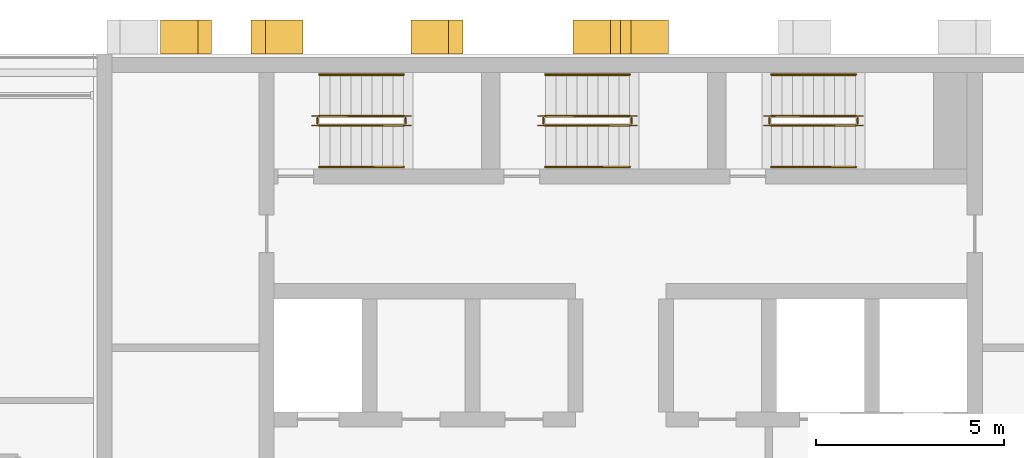
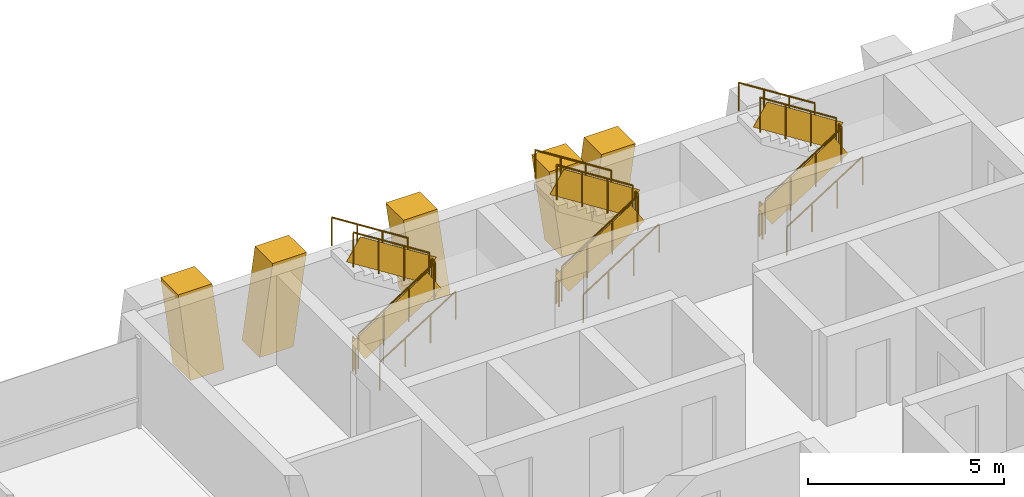
# One storey, part 15 of 16: 18 railings, 4 shading devices.
"""IFC4 building model written with IfcOpenShell, lengths in metres."""

import ifcopenshell
import ifcopenshell.guid

model = None  # the IFC model being written
_history = None  # IfcOwnerHistory: only IFC2X3 demands one
_inside = {}  # id of a spatial element -> (the spatial element, [elements in it])
_under = {}  # id of a project, library or spatial element -> (it, [spatial elements below it])
_declared = {}  # id of a project -> (the project, [libraries it declares])
_typed = {}  # id of a type object -> (the type object, [elements of that type])
_made_of = {}  # id of a material, layer set ... -> (it, [elements and type objects made of it])


def new_model(schema):
    """Start an empty IFC model of exactly this schema.

    Asked for "IFC4X3", IfcOpenShell would pick the latest addendum, in which some entities
    have other attributes; the version numbers below select the first issue.
    IFC2X3 requires an IfcOwnerHistory on every rooted entity: one is made here for all.
    """
    global model, _history
    if schema == "IFC4X3":
        model = ifcopenshell.file(schema_version=(4, 3, 0, 0))
    else:
        model = ifcopenshell.file(schema=schema)
    _inside.clear()
    _under.clear()
    _declared.clear()
    _typed.clear()
    _made_of.clear()
    _history = None
    if model.schema == "IFC2X3":
        org = make("IfcOrganization", Name="unknown")
        user = make(
            "IfcPersonAndOrganization",
            ThePerson=make("IfcPerson", FamilyName="unknown"),
            TheOrganization=org,
        )
        app = make(
            "IfcApplication",
            ApplicationDeveloper=org,
            Version="unknown",
            ApplicationFullName="unknown",
            ApplicationIdentifier="unknown",
        )
        _history = make(
            "IfcOwnerHistory",
            OwningUser=user,
            OwningApplication=app,
            ChangeAction="ADDED",
            CreationDate=0,
        )
    return model


def make(cls, **values):
    """One entity of the class cls with the attributes given. An attribute that is None is left unset."""
    return model.create_entity(
        cls, **{name: value for name, value in values.items() if value is not None}
    )


def rooted(cls, **values):
    """An entity with a GlobalId (a new one), such as an element, a storey or a relation."""
    return make(cls, GlobalId=ifcopenshell.guid.new(), OwnerHistory=_history, **values)


def si_unit(unit_type, name, prefix=None):
    """IfcSIUnit, for example si_unit("LENGTHUNIT", "METRE", prefix="MILLI")."""
    return make("IfcSIUnit", UnitType=unit_type, Prefix=prefix, Name=name)


def assignment(units):
    """IfcUnitAssignment: the units of a project."""
    return None if units is None else make("IfcUnitAssignment", Units=units)


def point(xyz):
    """IfcCartesianPoint."""
    return None if xyz is None else make("IfcCartesianPoint", Coordinates=xyz)


def direction(xyz):
    """IfcDirection."""
    return None if xyz is None else make("IfcDirection", DirectionRatios=xyz)


def frame(location, z_axis=None, x_axis=None):
    """IfcAxis2Placement3D, a coordinate frame: its origin and axes. An axis left out is left unset."""
    return make(
        "IfcAxis2Placement3D",
        Location=point(location),
        Axis=direction(z_axis),
        RefDirection=direction(x_axis),
    )


def frame_2d(location, x_axis=None):
    """IfcAxis2Placement2D, a coordinate frame in the plane: its origin and x axis."""
    return make(
        "IfcAxis2Placement2D", Location=point(location), RefDirection=direction(x_axis)
    )


def origin():
    """The frame at (0, 0, 0) with its axes left unset."""
    return frame((0.0, 0.0, 0.0))


def origin_2d():
    """The frame at (0, 0) in the plane with its x axis left unset."""
    return frame_2d((0.0, 0.0))


def place(relative_to, where):
    """IfcLocalPlacement: puts the frame where relative to a parent placement (None: the world)."""
    return make(
        "IfcLocalPlacement", PlacementRelTo=relative_to, RelativePlacement=where
    )


def context(
    kind, dimensions, precision=None, world=None, true_north=None, identifier=None
):
    """IfcGeometricRepresentationContext, for example the 3D "Model" context."""
    return make(
        "IfcGeometricRepresentationContext",
        ContextIdentifier=identifier,
        ContextType=kind,
        CoordinateSpaceDimension=dimensions,
        Precision=precision,
        WorldCoordinateSystem=world,
        TrueNorth=true_north,
    )


def subcontext(parent, identifier, kind, view, scale=None):
    """IfcGeometricRepresentationSubContext, for example "Body" below "Model"."""
    return make(
        "IfcGeometricRepresentationSubContext",
        ContextIdentifier=identifier,
        ContextType=kind,
        ParentContext=parent,
        TargetScale=scale,
        TargetView=view,
    )


def project(units=None, contexts=None):
    """IfcProject with its units and contexts."""
    return rooted(
        "IfcProject",
        Name="project",
        RepresentationContexts=contexts,
        UnitsInContext=assignment(units),
    )


def spatial(cls, under=None, at=None, **own):
    """A site, building, storey or space (cls), placed at a placement, below another one or the project."""
    s = rooted(cls, ObjectPlacement=at, **own)
    if under is not None:
        _under.setdefault(under.id(), (under, []))[1].append(s)
    return s


def polyline(points):
    """IfcPolyline through the points."""
    return make("IfcPolyline", Points=[point(p) for p in points])


def profile(cls, at=None, kind="AREA", **sizes):
    """A parametric profile (cls). Its sizes go by their IFC names, for example OverallWidth=200.0."""
    return make(cls, ProfileType=kind, Position=at, **sizes)


def rectangle(**sizes):
    """IfcRectangleProfileDef."""
    return profile("IfcRectangleProfileDef", **sizes)


def circle(**sizes):
    """IfcCircleProfileDef."""
    return profile("IfcCircleProfileDef", **sizes)


def outline(outer, holes=None, kind="AREA"):
    """IfcArbitraryClosedProfileDef: a profile drawn as a closed curve; with holes, ...WithVoids."""
    if holes is None:
        return make("IfcArbitraryClosedProfileDef", ProfileType=kind, OuterCurve=outer)
    return make(
        "IfcArbitraryProfileDefWithVoids",
        ProfileType=kind,
        OuterCurve=outer,
        InnerCurves=holes,
    )


def extrude(swept, where, along, depth):
    """IfcExtrudedAreaSolid: the profile swept, set in the frame where, extruded along a direction by depth."""
    return make(
        "IfcExtrudedAreaSolid",
        SweptArea=swept,
        Position=where,
        ExtrudedDirection=direction(along),
        Depth=depth,
    )


def shape(context_of_items, identifier, shape_type, items):
    """IfcShapeRepresentation: the items that make up one representation, for example the "Body"."""
    return make(
        "IfcShapeRepresentation",
        ContextOfItems=context_of_items,
        RepresentationIdentifier=identifier,
        RepresentationType=shape_type,
        Items=items,
    )


def material(Name=None, Category=None):
    """IfcMaterial."""
    return make("IfcMaterial", Name=Name, Category=Category)


def layer(
    of_material, thickness, ventilated=None, Name=None, Category=None, Priority=None
):
    """IfcMaterialLayer: one layer of a wall or slab, of a material (None: an air gap)."""
    return make(
        "IfcMaterialLayer",
        Material=of_material,
        LayerThickness=thickness,
        IsVentilated=ventilated,
        Name=Name,
        Category=Category,
        Priority=Priority,
    )


def layer_set(layers, Name=None):
    """IfcMaterialLayerSet."""
    return make("IfcMaterialLayerSet", MaterialLayers=layers, LayerSetName=Name)


def made_of(thing, what):
    """Note that an element or type object is made of a material, layer set ...; save() writes the relation."""
    if what is not None:
        _made_of.setdefault(what.id(), (what, []))[1].append(thing)
    return thing


def type_object(cls, material=None, **own):
    """A type object (cls), such as IfcWallType, which elements share."""
    return made_of(rooted(cls, **own), material)


def element(
    cls,
    number,
    at=None,
    inside=None,
    cuts=None,
    type_object=None,
    material=None,
    context=None,
    identifier="Body",
    shape_type=None,
    held_by="IfcProductDefinitionShape",
    body=None,
    shapes=None,
    **own,
):
    """One element of the class cls, such as IfcWall. Its Tag is "e" and its number.

    at: its placement. inside: the storey or other place that contains it. cuts: it is an
    opening in that element (IfcRelVoidsElement). A single representation is given by context,
    identifier, shape_type and body (its items); several are given by shapes. held_by: the class
    of the entity that holds the representations. save() writes the other relations.
    """
    e = rooted(cls, Tag="e%d" % number, ObjectPlacement=at, **own)
    if body is not None:
        shapes = [shape(context, identifier, shape_type, body)]
    if shapes is not None:
        e.Representation = make(held_by, Representations=shapes)
    if inside is not None:
        _inside.setdefault(inside.id(), (inside, []))[1].append(e)
    if cuts is not None:
        rooted(
            "IfcRelVoidsElement", RelatingBuildingElement=cuts, RelatedOpeningElement=e
        )
    if type_object is not None:
        _typed.setdefault(type_object.id(), (type_object, []))[1].append(e)
    return made_of(e, material)


def aggregate(whole, parts):
    """IfcRelAggregates: a whole, such as a stair, and the parts it consists of."""
    return rooted("IfcRelAggregates", RelatingObject=whole, RelatedObjects=parts)


def save(model, path):
    """Write the relations noted so far, then the file.

    IfcRelAggregates (storeys below a building ...), IfcRelContainedInSpatialStructure (elements
    in a storey), IfcRelDefinesByType, IfcRelAssociatesMaterial and IfcRelDeclares: one each for
    every whole, place, type object, material and project.
    """
    for whole, parts in _under.values():
        aggregate(whole, parts)
    for where, things in _inside.values():
        rooted(
            "IfcRelContainedInSpatialStructure",
            RelatedElements=things,
            RelatingStructure=where,
        )
    for kind, things in _typed.values():
        rooted("IfcRelDefinesByType", RelatedObjects=things, RelatingType=kind)
    for what, things in _made_of.values():
        rooted("IfcRelAssociatesMaterial", RelatedObjects=things, RelatingMaterial=what)
    for by, libraries in _declared.values():
        rooted("IfcRelDeclares", RelatingContext=by, RelatedDefinitions=libraries)
    model.write(path)


model = new_model("IFC4")

# Units and contexts
model_context = context("Model", 3, precision=1e-05, world=origin(), true_north=direction((0.0, 1.0)))
body_context = subcontext(model_context, "Body", "Model", "MODEL_VIEW")
ifc_project = project(units=[si_unit("LENGTHUNIT", "METRE"), si_unit("AREAUNIT", "SQUARE_METRE"), si_unit("VOLUMEUNIT", "CUBIC_METRE"), si_unit("PLANEANGLEUNIT", "RADIAN"), si_unit("MASSUNIT", "GRAM", prefix="KILO")], contexts=[model_context])

# Site, building, storey
site_placement = place(None, origin())
site = spatial("IfcSite", under=ifc_project, at=site_placement, CompositionType="ELEMENT")
building_placement = place(site_placement, origin())
building = spatial("IfcBuilding", under=site, at=building_placement, Name="Vidyagriha Tower", CompositionType="ELEMENT")
storey_placement = place(building_placement, frame((0.0, 0.0, 190.89990234375)))
storey = spatial("IfcBuildingStorey", under=building, at=storey_placement, Name="L50", CompositionType="ELEMENT", Elevation=190.89990234375)

# Shading devices
ifc_material_1 = material(Name="Precast concrete C40/50 with brick facing", Category="concrete")
ifc_layer_1 = layer(ifc_material_1, 1.0)
ifc_layer_set_1 = layer_set([ifc_layer_1], Name="Precast concrete C40/50 with brick facing")
shading_device_type_1 = type_object("IfcShadingDeviceType", Name="Brick-faced rear rib arm leaning 8 degrees", PredefinedType="USERDEFINED", material=ifc_layer_set_1)
shading_device_1_placement = place(storey_placement, frame((-8.4287109375, 20.449951171875, 0.0), z_axis=(0.0, 0.0, 1.0), x_axis=(-1.0, 0.0, 0.0)))
element("IfcShadingDevice", 1, at=shading_device_1_placement, inside=storey, type_object=shading_device_type_1, Name="Rear rib arm L50 R08.4a", ObjectType="BLADE FIN", PredefinedType="USERDEFINED", context=body_context, shape_type="SweptSolid", body=[
    extrude(outline(polyline([(0.3857421875, 0.0), (1.3857421875, 0.0), (1.0, 2.800048828125), (0.0, 2.800048828125), (0.3857421875, 0.0)])), frame((0.0, 0.449951171875, 0.0), z_axis=(0.0, -1.0, 0.0), x_axis=(1.0, 0.0, 0.0)), (0.0, 0.0, 1.0), 0.89990234375),
])
shading_device_2_placement = place(storey_placement, frame((-4.185791015625, 20.449951171875, 0.0), z_axis=(0.0, 0.0, 1.0), x_axis=(-1.0, 0.0, 0.0)))
element("IfcShadingDevice", 2, at=shading_device_2_placement, inside=storey, type_object=shading_device_type_1, Name="Rear rib arm L50 R08.4b", ObjectType="BLADE FIN", PredefinedType="USERDEFINED", context=body_context, shape_type="SweptSolid", body=[
    extrude(outline(polyline([(0.0, 0.0), (1.0, 0.0), (1.3857421875, 2.800048828125), (0.3857421875, 2.800048828125), (0.0, 0.0)])), frame((0.0, 0.449951171875, 0.0), z_axis=(0.0, -1.0, 0.0), x_axis=(1.0, 0.0, 0.0)), (0.0, 0.0, 1.0), 0.89990234375),
])
shading_device_3_placement = place(storey_placement, frame((-10.857177734375, 20.449951171875, 0.0), z_axis=(0.0, 0.0, 1.0), x_axis=(-1.0, 0.0, 0.0)))
element("IfcShadingDevice", 3, at=shading_device_3_placement, inside=storey, type_object=shading_device_type_1, Name="Rear rib arm L50 R08.5b", ObjectType="BLADE FIN", PredefinedType="USERDEFINED", context=body_context, shape_type="SweptSolid", body=[
    extrude(outline(polyline([(0.0, 0.0), (1.0, 0.0), (1.357177734375, 2.800048828125), (0.357177734375, 2.800048828125), (0.0, 0.0)])), frame((0.0, 0.449951171875, 0.0), z_axis=(0.0, -1.0, 0.0), x_axis=(1.0, 0.0, 0.0)), (0.0, 0.0, 1.0), 0.89990234375),
])
ifc_material_2 = material(Name="Precast concrete C40/50 with brick facing", Category="concrete")
ifc_layer_2 = layer(ifc_material_2, 1.0)
ifc_layer_set_2 = layer_set([ifc_layer_2], Name="Precast concrete C40/50 with brick facing")
shading_device_type_2 = type_object("IfcShadingDeviceType", Name="Brick-faced rear rib forking 8 degrees", PredefinedType="USERDEFINED", material=ifc_layer_set_2)
shading_device_4_placement = place(storey_placement, frame((1.271484375, 20.449951171875, 0.0), z_axis=(0.0, 0.0, 1.0), x_axis=(-1.0, 0.0, 0.0)))
element("IfcShadingDevice", 4, at=shading_device_4_placement, inside=storey, type_object=shading_device_type_2, Name="Rear rib fork L50 R08.3a", ObjectType="BLADE FIN", PredefinedType="USERDEFINED", context=body_context, shape_type="SweptSolid", body=[
    extrude(outline(polyline([(0.3857421875, 0.0), (2.156982421875, 0.0), (2.542724609375, 2.800048828125), (1.542724609375, 2.800048828125), (1.271484375, 0.82958984375), (1.0, 2.800048828125), (0.0, 2.800048828125), (0.3857421875, 0.0)])), frame((0.0, 0.449951171875, 0.0), z_axis=(0.0, -1.0, 0.0), x_axis=(1.0, 0.0, 0.0)), (0.0, 0.0, 1.0), 0.89990234375),
])

# Railings
ifc_material_3 = material(Name="Steel ASTM A500 Grade C", Category="steel")
railing_type_1 = type_object("IfcRailingType", Name="Stair guard 1100 mm, steel balustrade", PredefinedType="GUARDRAIL", material=ifc_material_3)
railing_1_placement = place(storey_placement, frame((-8.0, 18.10009765625, 0.177978515625)))
element("IfcRailing", 5, at=railing_1_placement, inside=storey, type_object=railing_type_1, Name="L50 ST1 stair guard 1", PredefinedType="GUARDRAIL", context=body_context, shape_type="SweptSolid", body=[
    extrude(circle(Radius=0.02392578125, at=origin_2d()), frame((0.0, 0.0, 1.076171875), z_axis=(0.8442293374, 0.0, 0.53598211339), x_axis=(0.0, 1.0, 0.0)), (0.0, 0.0, 1.0), 2.6533203125),
    extrude(circle(Radius=0.02099609375, at=origin_2d()), origin(), (0.0, 0.0, 1.0), 1.052001953125),
    extrude(circle(Radius=0.02099609375, at=origin_2d()), frame((0.74658203125, 0.0, 0.47412109375)), (0.0, 0.0, 1.0), 1.052001953125),
    extrude(circle(Radius=0.02099609375, at=origin_2d()), frame((1.493408203125, 0.0, 0.947998046875)), (0.0, 0.0, 1.0), 1.052001953125),
    extrude(circle(Radius=0.02099609375, at=origin_2d()), frame((2.239990234375, 0.0, 1.422119140625)), (0.0, 0.0, 1.0), 1.052001953125),
    extrude(rectangle(XDim=0.010009765625, YDim=0.761474609375, at=origin_2d()), frame((0.0, 0.0, 0.551025390625), z_axis=(0.8442293374, 0.0, 0.53598211339), x_axis=(0.0, 1.0, 0.0)), (0.0, 0.0, 1.0), 2.6533203125),
])
railing_2_placement = place(storey_placement, frame((-5.7099609375, 18.14990234375, 1.60009765625)))
element("IfcRailing", 6, at=railing_2_placement, inside=storey, type_object=railing_type_1, Name="L50 ST1 stair guard 2", PredefinedType="GUARDRAIL", context=body_context, shape_type="SweptSolid", body=[
    extrude(circle(Radius=0.02392578125, at=origin_2d()), frame((0.0, 0.0, 1.076171875), z_axis=(0.0, 1.0, 0.0), x_axis=(-1.0, 0.0, 0.0)), (0.0, 0.0, 1.0), 0.150146484375),
    extrude(circle(Radius=0.02099609375, at=origin_2d()), origin(), (0.0, 0.0, 1.0), 1.052001953125),
    extrude(circle(Radius=0.02099609375, at=origin_2d()), frame((0.0, 0.150146484375, 0.0)), (0.0, 0.0, 1.0), 1.052001953125),
    extrude(rectangle(XDim=0.010009765625, YDim=0.902099609375, at=origin_2d()), frame((0.0, 0.0, 0.551025390625), z_axis=(0.0, 1.0, 0.0), x_axis=(-1.0, 0.0, 0.0)), (0.0, 0.0, 1.0), 0.150146484375),
])
railing_3_placement = place(storey_placement, frame((-5.760009765625, 18.35009765625, 1.77783203125)))
element("IfcRailing", 7, at=railing_3_placement, inside=storey, type_object=railing_type_1, Name="L50 ST1 stair guard 3", PredefinedType="GUARDRAIL", context=body_context, shape_type="SweptSolid", body=[
    extrude(circle(Radius=0.02392578125, at=origin_2d()), frame((0.0, 0.0, 1.076171875), z_axis=(-0.84418770128, 0.0, 0.536047689118), x_axis=(0.0, -1.0, 0.0)), (0.0, 0.0, 1.0), 2.6533203125),
    extrude(circle(Radius=0.02099609375, at=origin_2d()), origin(), (0.0, 0.0, 1.0), 1.052001953125),
    extrude(circle(Radius=0.02099609375, at=origin_2d()), frame((-0.74658203125, 0.0, 0.47412109375)), (0.0, 0.0, 1.0), 1.052001953125),
    extrude(circle(Radius=0.02099609375, at=origin_2d()), frame((-1.493408203125, 0.0, 0.9482421875)), (0.0, 0.0, 1.0), 1.052001953125),
    extrude(circle(Radius=0.02099609375, at=origin_2d()), frame((-2.239990234375, 0.0, 1.42236328125)), (0.0, 0.0, 1.0), 1.052001953125),
    extrude(rectangle(XDim=0.010009765625, YDim=0.761474609375, at=origin_2d()), frame((0.0, 0.0, 0.551025390625), z_axis=(-0.84418770128, 0.0, 0.536047689118), x_axis=(0.0, -1.0, 0.0)), (0.0, 0.0, 1.0), 2.6533203125),
])
railing_4_placement = place(storey_placement, frame((-8.050048828125, 18.14990234375, 0.0)))
element("IfcRailing", 8, at=railing_4_placement, inside=storey, type_object=railing_type_1, Name="L50 ST1 stair guard 4", PredefinedType="GUARDRAIL", context=body_context, shape_type="SweptSolid", body=[
    extrude(circle(Radius=0.02392578125, at=origin_2d()), frame((0.0, 0.0, 1.076171875), z_axis=(0.0, 1.0, 0.0), x_axis=(-1.0, 0.0, 0.0)), (0.0, 0.0, 1.0), 0.150146484375),
    extrude(circle(Radius=0.02099609375, at=origin_2d()), origin(), (0.0, 0.0, 1.0), 1.052001953125),
    extrude(circle(Radius=0.02099609375, at=origin_2d()), frame((0.0, 0.150146484375, 0.0)), (0.0, 0.0, 1.0), 1.052001953125),
    extrude(rectangle(XDim=0.010009765625, YDim=0.902099609375, at=origin_2d()), frame((0.0, 0.0, 0.551025390625), z_axis=(0.0, 1.0, 0.0), x_axis=(-1.0, 0.0, 0.0)), (0.0, 0.0, 1.0), 0.150146484375),
])
railing_5_placement = place(storey_placement, frame((-2.0, 18.10009765625, 0.177978515625)))
element("IfcRailing", 9, at=railing_5_placement, inside=storey, type_object=railing_type_1, Name="L50 ST2 stair guard 1", PredefinedType="GUARDRAIL", context=body_context, shape_type="SweptSolid", body=[
    extrude(circle(Radius=0.02392578125, at=origin_2d()), frame((0.0, 0.0, 1.076171875), z_axis=(0.8442293374, 0.0, 0.53598211339), x_axis=(0.0, 1.0, 0.0)), (0.0, 0.0, 1.0), 2.6533203125),
    extrude(circle(Radius=0.02099609375, at=origin_2d()), origin(), (0.0, 0.0, 1.0), 1.052001953125),
    extrude(circle(Radius=0.02099609375, at=origin_2d()), frame((0.74658203125, 0.0, 0.47412109375)), (0.0, 0.0, 1.0), 1.052001953125),
    extrude(circle(Radius=0.02099609375, at=origin_2d()), frame((1.493408203125, 0.0, 0.947998046875)), (0.0, 0.0, 1.0), 1.052001953125),
    extrude(circle(Radius=0.02099609375, at=origin_2d()), frame((2.239990234375, 0.0, 1.422119140625)), (0.0, 0.0, 1.0), 1.052001953125),
    extrude(rectangle(XDim=0.010009765625, YDim=0.761474609375, at=origin_2d()), frame((0.0, 0.0, 0.551025390625), z_axis=(0.8442293374, 0.0, 0.53598211339), x_axis=(0.0, 1.0, 0.0)), (0.0, 0.0, 1.0), 2.6533203125),
])
railing_6_placement = place(storey_placement, frame((0.2900390625, 18.14990234375, 1.60009765625)))
element("IfcRailing", 10, at=railing_6_placement, inside=storey, type_object=railing_type_1, Name="L50 ST2 stair guard 2", PredefinedType="GUARDRAIL", context=body_context, shape_type="SweptSolid", body=[
    extrude(circle(Radius=0.02392578125, at=origin_2d()), frame((0.0, 0.0, 1.076171875), z_axis=(0.0, 1.0, 0.0), x_axis=(-1.0, 0.0, 0.0)), (0.0, 0.0, 1.0), 0.150146484375),
    extrude(circle(Radius=0.02099609375, at=origin_2d()), origin(), (0.0, 0.0, 1.0), 1.052001953125),
    extrude(circle(Radius=0.02099609375, at=origin_2d()), frame((0.0, 0.150146484375, 0.0)), (0.0, 0.0, 1.0), 1.052001953125),
    extrude(rectangle(XDim=0.010009765625, YDim=0.902099609375, at=origin_2d()), frame((0.0, 0.0, 0.551025390625), z_axis=(0.0, 1.0, 0.0), x_axis=(-1.0, 0.0, 0.0)), (0.0, 0.0, 1.0), 0.150146484375),
])
railing_7_placement = place(storey_placement, frame((0.239990234375, 18.35009765625, 1.77783203125)))
element("IfcRailing", 11, at=railing_7_placement, inside=storey, type_object=railing_type_1, Name="L50 ST2 stair guard 3", PredefinedType="GUARDRAIL", context=body_context, shape_type="SweptSolid", body=[
    extrude(circle(Radius=0.02392578125, at=origin_2d()), frame((0.0, 0.0, 1.076171875), z_axis=(-0.84418770128, 0.0, 0.536047689118), x_axis=(0.0, -1.0, 0.0)), (0.0, 0.0, 1.0), 2.6533203125),
    extrude(circle(Radius=0.02099609375, at=origin_2d()), origin(), (0.0, 0.0, 1.0), 1.052001953125),
    extrude(circle(Radius=0.02099609375, at=origin_2d()), frame((-0.74658203125, 0.0, 0.47412109375)), (0.0, 0.0, 1.0), 1.052001953125),
    extrude(circle(Radius=0.02099609375, at=origin_2d()), frame((-1.493408203125, 0.0, 0.9482421875)), (0.0, 0.0, 1.0), 1.052001953125),
    extrude(circle(Radius=0.02099609375, at=origin_2d()), frame((-2.239990234375, 0.0, 1.42236328125)), (0.0, 0.0, 1.0), 1.052001953125),
    extrude(rectangle(XDim=0.010009765625, YDim=0.761474609375, at=origin_2d()), frame((0.0, 0.0, 0.551025390625), z_axis=(-0.84418770128, 0.0, 0.536047689118), x_axis=(0.0, -1.0, 0.0)), (0.0, 0.0, 1.0), 2.6533203125),
])
railing_8_placement = place(storey_placement, frame((-2.050048828125, 18.14990234375, 0.0)))
element("IfcRailing", 12, at=railing_8_placement, inside=storey, type_object=railing_type_1, Name="L50 ST2 stair guard 4", PredefinedType="GUARDRAIL", context=body_context, shape_type="SweptSolid", body=[
    extrude(circle(Radius=0.02392578125, at=origin_2d()), frame((0.0, 0.0, 1.076171875), z_axis=(0.0, 1.0, 0.0), x_axis=(-1.0, 0.0, 0.0)), (0.0, 0.0, 1.0), 0.150146484375),
    extrude(circle(Radius=0.02099609375, at=origin_2d()), origin(), (0.0, 0.0, 1.0), 1.052001953125),
    extrude(circle(Radius=0.02099609375, at=origin_2d()), frame((0.0, 0.150146484375, 0.0)), (0.0, 0.0, 1.0), 1.052001953125),
    extrude(rectangle(XDim=0.010009765625, YDim=0.902099609375, at=origin_2d()), frame((0.0, 0.0, 0.551025390625), z_axis=(0.0, 1.0, 0.0), x_axis=(-1.0, 0.0, 0.0)), (0.0, 0.0, 1.0), 0.150146484375),
])
railing_9_placement = place(storey_placement, frame((4.0, 18.10009765625, 0.177978515625)))
element("IfcRailing", 13, at=railing_9_placement, inside=storey, type_object=railing_type_1, Name="L50 ST3 stair guard 1", PredefinedType="GUARDRAIL", context=body_context, shape_type="SweptSolid", body=[
    extrude(circle(Radius=0.02392578125, at=origin_2d()), frame((0.0, 0.0, 1.076171875), z_axis=(0.8442293374, 0.0, 0.53598211339), x_axis=(0.0, 1.0, 0.0)), (0.0, 0.0, 1.0), 2.6533203125),
    extrude(circle(Radius=0.02099609375, at=origin_2d()), origin(), (0.0, 0.0, 1.0), 1.052001953125),
    extrude(circle(Radius=0.02099609375, at=origin_2d()), frame((0.74658203125, 0.0, 0.47412109375)), (0.0, 0.0, 1.0), 1.052001953125),
    extrude(circle(Radius=0.02099609375, at=origin_2d()), frame((1.493408203125, 0.0, 0.947998046875)), (0.0, 0.0, 1.0), 1.052001953125),
    extrude(circle(Radius=0.02099609375, at=origin_2d()), frame((2.239990234375, 0.0, 1.422119140625)), (0.0, 0.0, 1.0), 1.052001953125),
    extrude(rectangle(XDim=0.010009765625, YDim=0.761474609375, at=origin_2d()), frame((0.0, 0.0, 0.551025390625), z_axis=(0.8442293374, 0.0, 0.53598211339), x_axis=(0.0, 1.0, 0.0)), (0.0, 0.0, 1.0), 2.6533203125),
])
railing_10_placement = place(storey_placement, frame((6.2900390625, 18.14990234375, 1.60009765625)))
element("IfcRailing", 14, at=railing_10_placement, inside=storey, type_object=railing_type_1, Name="L50 ST3 stair guard 2", PredefinedType="GUARDRAIL", context=body_context, shape_type="SweptSolid", body=[
    extrude(circle(Radius=0.02392578125, at=origin_2d()), frame((0.0, 0.0, 1.076171875), z_axis=(0.0, 1.0, 0.0), x_axis=(-1.0, 0.0, 0.0)), (0.0, 0.0, 1.0), 0.150146484375),
    extrude(circle(Radius=0.02099609375, at=origin_2d()), origin(), (0.0, 0.0, 1.0), 1.052001953125),
    extrude(circle(Radius=0.02099609375, at=origin_2d()), frame((0.0, 0.150146484375, 0.0)), (0.0, 0.0, 1.0), 1.052001953125),
    extrude(rectangle(XDim=0.010009765625, YDim=0.902099609375, at=origin_2d()), frame((0.0, 0.0, 0.551025390625), z_axis=(0.0, 1.0, 0.0), x_axis=(-1.0, 0.0, 0.0)), (0.0, 0.0, 1.0), 0.150146484375),
])
railing_11_placement = place(storey_placement, frame((6.239990234375, 18.35009765625, 1.77783203125)))
element("IfcRailing", 15, at=railing_11_placement, inside=storey, type_object=railing_type_1, Name="L50 ST3 stair guard 3", PredefinedType="GUARDRAIL", context=body_context, shape_type="SweptSolid", body=[
    extrude(circle(Radius=0.02392578125, at=origin_2d()), frame((0.0, 0.0, 1.076171875), z_axis=(-0.84418770128, 0.0, 0.536047689118), x_axis=(0.0, -1.0, 0.0)), (0.0, 0.0, 1.0), 2.6533203125),
    extrude(circle(Radius=0.02099609375, at=origin_2d()), origin(), (0.0, 0.0, 1.0), 1.052001953125),
    extrude(circle(Radius=0.02099609375, at=origin_2d()), frame((-0.74658203125, 0.0, 0.47412109375)), (0.0, 0.0, 1.0), 1.052001953125),
    extrude(circle(Radius=0.02099609375, at=origin_2d()), frame((-1.493408203125, 0.0, 0.9482421875)), (0.0, 0.0, 1.0), 1.052001953125),
    extrude(circle(Radius=0.02099609375, at=origin_2d()), frame((-2.239990234375, 0.0, 1.42236328125)), (0.0, 0.0, 1.0), 1.052001953125),
    extrude(rectangle(XDim=0.010009765625, YDim=0.761474609375, at=origin_2d()), frame((0.0, 0.0, 0.551025390625), z_axis=(-0.84418770128, 0.0, 0.536047689118), x_axis=(0.0, -1.0, 0.0)), (0.0, 0.0, 1.0), 2.6533203125),
])
railing_12_placement = place(storey_placement, frame((3.949951171875, 18.14990234375, 0.0)))
element("IfcRailing", 16, at=railing_12_placement, inside=storey, type_object=railing_type_1, Name="L50 ST3 stair guard 4", PredefinedType="GUARDRAIL", context=body_context, shape_type="SweptSolid", body=[
    extrude(circle(Radius=0.02392578125, at=origin_2d()), frame((0.0, 0.0, 1.076171875), z_axis=(0.0, 1.0, 0.0), x_axis=(-1.0, 0.0, 0.0)), (0.0, 0.0, 1.0), 0.150146484375),
    extrude(circle(Radius=0.02099609375, at=origin_2d()), origin(), (0.0, 0.0, 1.0), 1.052001953125),
    extrude(circle(Radius=0.02099609375, at=origin_2d()), frame((0.0, 0.150146484375, 0.0)), (0.0, 0.0, 1.0), 1.052001953125),
    extrude(rectangle(XDim=0.010009765625, YDim=0.902099609375, at=origin_2d()), frame((0.0, 0.0, 0.551025390625), z_axis=(0.0, 1.0, 0.0), x_axis=(-1.0, 0.0, 0.0)), (0.0, 0.0, 1.0), 0.150146484375),
])
ifc_material_4 = material(Name="Steel ASTM A500 Grade C", Category="steel")
railing_type_2 = type_object("IfcRailingType", Name="Stair handrail 900 mm, steel", PredefinedType="HANDRAIL", material=ifc_material_4)
railing_13_placement = place(storey_placement, frame((-8.0, 17.0, 0.177978515625)))
element("IfcRailing", 17, at=railing_13_placement, inside=storey, type_object=railing_type_2, Name="L50 ST1 stair handrail 1", PredefinedType="HANDRAIL", context=body_context, shape_type="SweptSolid", body=[
    extrude(circle(Radius=0.02392578125, at=origin_2d()), frame((0.0, 0.0, 0.8759765625), z_axis=(0.8442293374, 0.0, 0.53598211339), x_axis=(0.0, 1.0, 0.0)), (0.0, 0.0, 1.0), 2.6533203125),
    extrude(circle(Radius=0.02099609375, at=origin_2d()), origin(), (0.0, 0.0, 1.0), 0.851806640625),
    extrude(circle(Radius=0.02099609375, at=origin_2d()), frame((0.74658203125, 0.0, 0.47412109375)), (0.0, 0.0, 1.0), 0.851806640625),
    extrude(circle(Radius=0.02099609375, at=origin_2d()), frame((1.493408203125, 0.0, 0.947998046875)), (0.0, 0.0, 1.0), 0.851806640625),
    extrude(circle(Radius=0.02099609375, at=origin_2d()), frame((2.239990234375, 0.0, 1.422119140625)), (0.0, 0.0, 1.0), 0.851806640625),
])
railing_14_placement = place(storey_placement, frame((-5.760009765625, 19.449951171875, 1.77783203125)))
element("IfcRailing", 18, at=railing_14_placement, inside=storey, type_object=railing_type_2, Name="L50 ST1 stair handrail 2", PredefinedType="HANDRAIL", context=body_context, shape_type="SweptSolid", body=[
    extrude(circle(Radius=0.02392578125, at=origin_2d()), frame((0.0, 0.0, 0.8759765625), z_axis=(-0.84418770128, 0.0, 0.536047689118), x_axis=(0.0, -1.0, 0.0)), (0.0, 0.0, 1.0), 2.6533203125),
    extrude(circle(Radius=0.02099609375, at=origin_2d()), origin(), (0.0, 0.0, 1.0), 0.851806640625),
    extrude(circle(Radius=0.02099609375, at=origin_2d()), frame((-0.74658203125, 0.0, 0.47412109375)), (0.0, 0.0, 1.0), 0.851806640625),
    extrude(circle(Radius=0.02099609375, at=origin_2d()), frame((-1.493408203125, 0.0, 0.9482421875)), (0.0, 0.0, 1.0), 0.851806640625),
    extrude(circle(Radius=0.02099609375, at=origin_2d()), frame((-2.239990234375, 0.0, 1.42236328125)), (0.0, 0.0, 1.0), 0.851806640625),
])
railing_15_placement = place(storey_placement, frame((-2.0, 17.0, 0.177978515625)))
element("IfcRailing", 19, at=railing_15_placement, inside=storey, type_object=railing_type_2, Name="L50 ST2 stair handrail 1", PredefinedType="HANDRAIL", context=body_context, shape_type="SweptSolid", body=[
    extrude(circle(Radius=0.02392578125, at=origin_2d()), frame((0.0, 0.0, 0.8759765625), z_axis=(0.8442293374, 0.0, 0.53598211339), x_axis=(0.0, 1.0, 0.0)), (0.0, 0.0, 1.0), 2.6533203125),
    extrude(circle(Radius=0.02099609375, at=origin_2d()), origin(), (0.0, 0.0, 1.0), 0.851806640625),
    extrude(circle(Radius=0.02099609375, at=origin_2d()), frame((0.74658203125, 0.0, 0.47412109375)), (0.0, 0.0, 1.0), 0.851806640625),
    extrude(circle(Radius=0.02099609375, at=origin_2d()), frame((1.493408203125, 0.0, 0.947998046875)), (0.0, 0.0, 1.0), 0.851806640625),
    extrude(circle(Radius=0.02099609375, at=origin_2d()), frame((2.239990234375, 0.0, 1.422119140625)), (0.0, 0.0, 1.0), 0.851806640625),
])
railing_16_placement = place(storey_placement, frame((0.239990234375, 19.449951171875, 1.77783203125)))
element("IfcRailing", 20, at=railing_16_placement, inside=storey, type_object=railing_type_2, Name="L50 ST2 stair handrail 2", PredefinedType="HANDRAIL", context=body_context, shape_type="SweptSolid", body=[
    extrude(circle(Radius=0.02392578125, at=origin_2d()), frame((0.0, 0.0, 0.8759765625), z_axis=(-0.84418770128, 0.0, 0.536047689118), x_axis=(0.0, -1.0, 0.0)), (0.0, 0.0, 1.0), 2.6533203125),
    extrude(circle(Radius=0.02099609375, at=origin_2d()), origin(), (0.0, 0.0, 1.0), 0.851806640625),
    extrude(circle(Radius=0.02099609375, at=origin_2d()), frame((-0.74658203125, 0.0, 0.47412109375)), (0.0, 0.0, 1.0), 0.851806640625),
    extrude(circle(Radius=0.02099609375, at=origin_2d()), frame((-1.493408203125, 0.0, 0.9482421875)), (0.0, 0.0, 1.0), 0.851806640625),
    extrude(circle(Radius=0.02099609375, at=origin_2d()), frame((-2.239990234375, 0.0, 1.42236328125)), (0.0, 0.0, 1.0), 0.851806640625),
])
railing_17_placement = place(storey_placement, frame((4.0, 17.0, 0.177978515625)))
element("IfcRailing", 21, at=railing_17_placement, inside=storey, type_object=railing_type_2, Name="L50 ST3 stair handrail 1", PredefinedType="HANDRAIL", context=body_context, shape_type="SweptSolid", body=[
    extrude(circle(Radius=0.02392578125, at=origin_2d()), frame((0.0, 0.0, 0.8759765625), z_axis=(0.8442293374, 0.0, 0.53598211339), x_axis=(0.0, 1.0, 0.0)), (0.0, 0.0, 1.0), 2.6533203125),
    extrude(circle(Radius=0.02099609375, at=origin_2d()), origin(), (0.0, 0.0, 1.0), 0.851806640625),
    extrude(circle(Radius=0.02099609375, at=origin_2d()), frame((0.74658203125, 0.0, 0.47412109375)), (0.0, 0.0, 1.0), 0.851806640625),
    extrude(circle(Radius=0.02099609375, at=origin_2d()), frame((1.493408203125, 0.0, 0.947998046875)), (0.0, 0.0, 1.0), 0.851806640625),
    extrude(circle(Radius=0.02099609375, at=origin_2d()), frame((2.239990234375, 0.0, 1.422119140625)), (0.0, 0.0, 1.0), 0.851806640625),
])
railing_18_placement = place(storey_placement, frame((6.239990234375, 19.449951171875, 1.77783203125)))
element("IfcRailing", 22, at=railing_18_placement, inside=storey, type_object=railing_type_2, Name="L50 ST3 stair handrail 2", PredefinedType="HANDRAIL", context=body_context, shape_type="SweptSolid", body=[
    extrude(circle(Radius=0.02392578125, at=origin_2d()), frame((0.0, 0.0, 0.8759765625), z_axis=(-0.84418770128, 0.0, 0.536047689118), x_axis=(0.0, -1.0, 0.0)), (0.0, 0.0, 1.0), 2.6533203125),
    extrude(circle(Radius=0.02099609375, at=origin_2d()), origin(), (0.0, 0.0, 1.0), 0.851806640625),
    extrude(circle(Radius=0.02099609375, at=origin_2d()), frame((-0.74658203125, 0.0, 0.47412109375)), (0.0, 0.0, 1.0), 0.851806640625),
    extrude(circle(Radius=0.02099609375, at=origin_2d()), frame((-1.493408203125, 0.0, 0.9482421875)), (0.0, 0.0, 1.0), 0.851806640625),
    extrude(circle(Radius=0.02099609375, at=origin_2d()), frame((-2.239990234375, 0.0, 1.42236328125)), (0.0, 0.0, 1.0), 0.851806640625),
])

save(model, "model.ifc")
